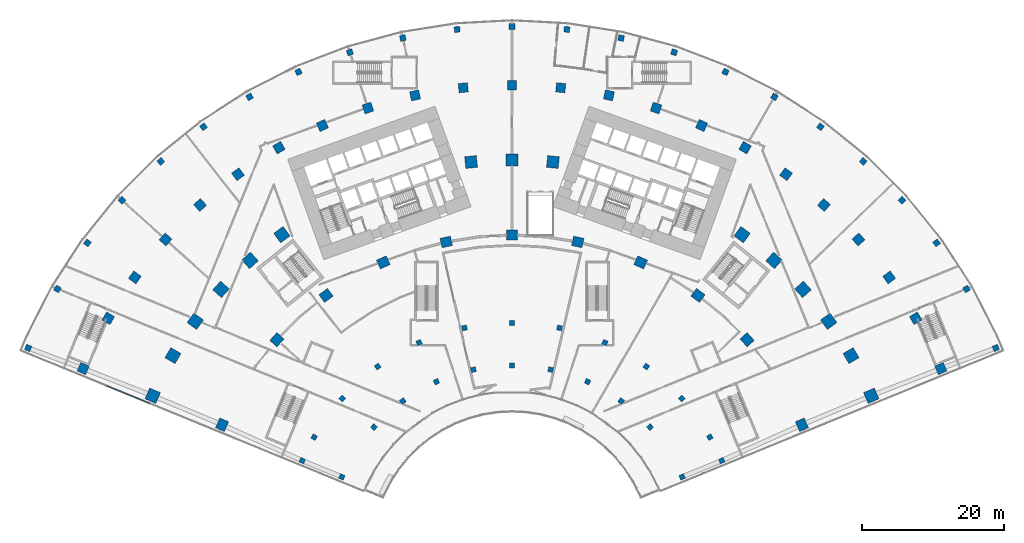
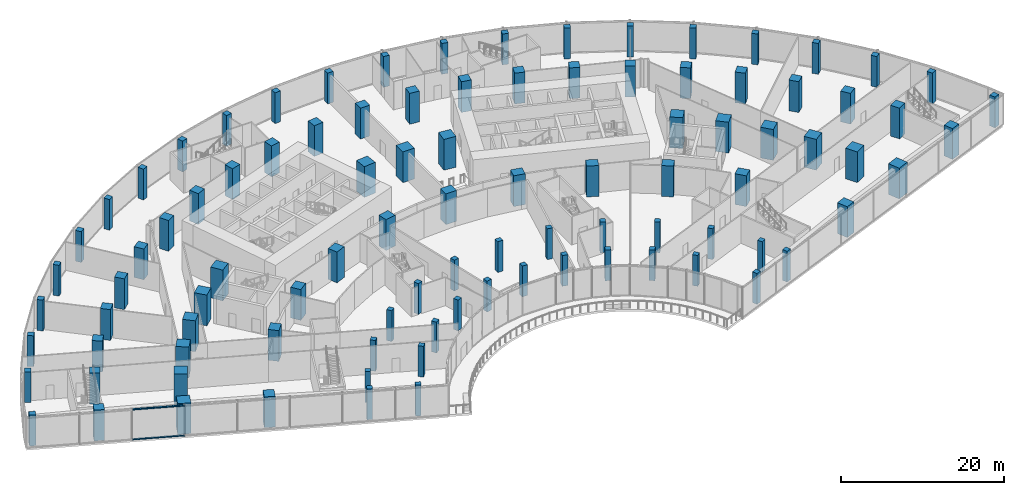
# One storey, part 1 of 40: 96 columns, 2 members, 1 element without a shape of its own.
"""IFC4 building model written with IfcOpenShell, lengths in metres."""

from ifc_helpers import new_model, si_unit, direction, frame, origin, origin_2d, place, context, subcontext, project, spatial, rectangle, extrude, material, layer, layer_set, material_profile, profile_set, type_object, element, aggregate, save


model = new_model("IFC4")

# Units and contexts
model_context = context("Model", 3, precision=1e-05, world=origin(), true_north=direction((0.0, 1.0)))
body_context = subcontext(model_context, "Body", "Model", "MODEL_VIEW")
ifc_project = project(units=[si_unit("LENGTHUNIT", "METRE"), si_unit("AREAUNIT", "SQUARE_METRE"), si_unit("VOLUMEUNIT", "CUBIC_METRE"), si_unit("PLANEANGLEUNIT", "RADIAN"), si_unit("MASSUNIT", "GRAM", prefix="KILO")], contexts=[model_context])

# Site, building, storey
site_placement = place(None, origin())
site = spatial("IfcSite", under=ifc_project, at=site_placement, CompositionType="ELEMENT")
building_placement = place(site_placement, origin())
building = spatial("IfcBuilding", under=site, at=building_placement, Name="Stone Belt Terrace Tower", CompositionType="ELEMENT")
storey_placement = place(building_placement, frame((0.0, 0.0, 11.60009765625)))
storey = spatial("IfcBuildingStorey", under=building, at=storey_placement, Name="L02", CompositionType="ELEMENT", Elevation=11.60009765625)

# Columns
ifc_material_1 = material(Name="Concrete B80", Category="concrete")
ifc_material_profile_1 = material_profile(ifc_material_1, rectangle(XDim=1.300048828125, YDim=1.300048828125, at=origin_2d()), Name="RC 1300x1300")
ifc_profile_set_1 = profile_set([ifc_material_profile_1], Name="Concrete B80")
column_type_1 = type_object("IfcColumnType", Name="Column RC 1300x1300 B80", PredefinedType="COLUMN", material=ifc_profile_set_1)
for number, where, z_axis, x_axis, name in (
    (1, (-60.24169921875, 25.68505859375, 0.0), (0.0, 0.0, 1.0), (0.392203865004, 0.919878322538, 0.0), "Column L02 RA"),
    (2, (-56.715087890625, 32.744384765625, 0.0), (0.0, 0.0, 1.0), (0.5, 0.866025403784, 0.0), "Column L02 R12"),
    (3, (-52.981689453125, 38.493408203125, 0.0), (0.0, 0.0, 1.0), (0.587785252292, 0.809016994375, 0.0), "Column L02 R13"),
    (4, (-48.667724609375, 43.820556640625, 0.0), (0.0, 0.0, 1.0), (0.669130606359, 0.743144825477, 0.0), "Column L02 R14"),
    (5, (-43.820556640625, 48.667724609375, 0.0), (0.0, 0.0, 1.0), (0.743144825477, 0.669130606359, 0.0), "Column L02 R15"),
    (6, (-38.493408203125, 52.981689453125, 0.0), (0.0, 0.0, 1.0), (0.809016994375, 0.587785252292, 0.0), "Column L02 R16"),
    (7, (-32.744384765625, 56.715087890625, 0.0), (0.0, 0.0, 1.0), (0.866025403784, 0.5, 0.0), "Column L02 R17"),
    (8, (-26.63671875, 59.8271484375, 0.0), (0.0, 0.0, 1.0), (0.913545457643, 0.406736643076, 0.0), "Column L02 R18"),
    (9, (-20.2373046875, 62.28369140625, 0.0), (0.0, 0.0, 1.0), (0.951056516295, 0.309016994375, 0.0), "Column L02 R19"),
    (10, (-13.615966796875, 64.057861328125, 0.0), (0.0, 0.0, 1.0), (0.978147600734, 0.207911690818, 0.0), "Column L02 R20"),
    (11, (-6.845458984375, 65.130126953125, 0.0), (0.0, 0.0, 1.0), (0.994521895368, 0.104528463268, 0.0), "Column L02 R21"),
    (12, (0.0, 65.489013671875, 0.0), (0.0, 0.0, 1.0), (1.0, 0.0, 0.0), "Column L02 R22"),
    (13, (6.845458984375, 65.130126953125, 0.0), (0.0, 0.0, 1.0), (0.994521895368, -0.104528463268, 0.0), "Column L02 R23"),
    (14, (13.615966796875, 64.057861328125, 0.0), (0.0, 0.0, 1.0), (0.978147600734, -0.207911690818, 0.0), "Column L02 R24"),
    (15, (20.2373046875, 62.28369140625, 0.0), (0.0, 0.0, 1.0), (0.951056516295, -0.309016994375, 0.0), "Column L02 R25"),
    (16, (26.63671875, 59.8271484375, 0.0), (0.0, 0.0, 1.0), (0.913545457643, -0.406736643076, 0.0), "Column L02 R26"),
    (17, (32.744384765625, 56.715087890625, 0.0), (0.0, 0.0, 1.0), (0.866025403784, -0.5, 0.0), "Column L02 R27"),
    (18, (38.493408203125, 52.981689453125, 0.0), (0.0, 0.0, 1.0), (0.809016994375, -0.587785252292, 0.0), "Column L02 R28"),
    (19, (43.820556640625, 48.667724609375, 0.0), (0.0, 0.0, 1.0), (0.743144825477, -0.669130606359, 0.0), "Column L02 R29"),
    (20, (48.667724609375, 43.820556640625, 0.0), (0.0, 0.0, 1.0), (0.669130606359, -0.743144825477, 0.0), "Column L02 R30"),
    (21, (52.981689453125, 38.493408203125, 0.0), (0.0, 0.0, 1.0), (0.587785252292, -0.809016994375, 0.0), "Column L02 R31"),
    (22, (56.715087890625, 32.744384765625, 0.0), (0.0, 0.0, 1.0), (0.5, -0.866025403784, 0.0), "Column L02 R32"),
    (23, (60.24169921875, 25.68505859375, 0.0), (0.0, 0.0, 1.0), (0.392203865004, -0.919878322538, 0.0), "Column L02 RB"),
):
    element("IfcColumn", number, at=place(storey_placement, frame(where, z_axis=z_axis, x_axis=x_axis)), inside=storey, type_object=column_type_1, Name=name, PredefinedType="COLUMN", context=body_context, shape_type="SweptSolid", body=[
        extrude(rectangle(XDim=1.300048828125, YDim=1.300048828125, at=origin_2d()), origin(), (0.0, 0.0, 1.0), 4.599853515625),
    ])
ifc_material_profile_2 = material_profile(ifc_material_1, rectangle(XDim=1.5, YDim=1.35009765625, at=origin_2d()), Name="RC 1500x1350")
ifc_profile_set_2 = profile_set([ifc_material_profile_2], Name="Concrete B80")
column_type_2 = type_object("IfcColumnType", Name="Column RC 1500x1350 B80", PredefinedType="COLUMN", material=ifc_profile_set_2)
for number, where, z_axis, x_axis, name in (
    (24, (-40.727294921875, 17.794677734375, 0.0), (0.0, 0.0, 1.0), (0.40037622141, 0.916350850564, 0.0), "Column L02 PA"),
    (25, (-33.029052734375, 29.739501953125, 0.0), (0.0, 0.0, 1.0), (0.669130606359, 0.743144825477, 0.0), "Column L02 P14"),
    (26, (-26.1240234375, 35.956787109375, 0.0), (0.0, 0.0, 1.0), (0.809016994375, 0.587785252292, 0.0), "Column L02 P16"),
    (27, (-18.077392578125, 40.6025390625, 0.0), (0.0, 0.0, 1.0), (0.913545457643, 0.406736643076, 0.0), "Column L02 P18"),
    (28, (-9.240478515625, 43.473876953125, 0.0), (0.0, 0.0, 1.0), (0.978147600734, 0.207911690818, 0.0), "Column L02 P20"),
    (29, (0.0, 44.445068359375, 0.0), (0.0, 0.0, 1.0), (1.0, 0.0, 0.0), "Column L02 P22"),
    (30, (9.240478515625, 43.473876953125, 0.0), (0.0, 0.0, 1.0), (0.978147600734, -0.207911690818, 0.0), "Column L02 P24"),
    (31, (18.077392578125, 40.6025390625, 0.0), (0.0, 0.0, 1.0), (0.913545457643, -0.406736643076, 0.0), "Column L02 P26"),
    (32, (26.1240234375, 35.956787109375, 0.0), (0.0, 0.0, 1.0), (0.809016994375, -0.587785252292, 0.0), "Column L02 P28"),
    (33, (33.029052734375, 29.739501953125, 0.0), (0.0, 0.0, 1.0), (0.669130606359, -0.743144825477, 0.0), "Column L02 P30"),
    (34, (40.727294921875, 17.794677734375, 0.0), (0.0, 0.0, 1.0), (0.40037622141, -0.916350850564, 0.0), "Column L02 PB"),
):
    element("IfcColumn", number, at=place(storey_placement, frame(where, z_axis=z_axis, x_axis=x_axis)), inside=storey, type_object=column_type_2, Name=name, PredefinedType="COLUMN", context=body_context, shape_type="SweptSolid", body=[
        extrude(rectangle(XDim=1.5, YDim=1.35009765625, at=origin_2d()), origin(), (0.0, 0.0, 1.0), 4.599853515625),
    ])
ifc_material_profile_3 = material_profile(ifc_material_1, rectangle(XDim=1.64990234375, YDim=1.64990234375, at=origin_2d()), Name="RC 1650x1650")
ifc_profile_set_3 = profile_set([ifc_material_profile_3], Name="Concrete B80")
column_type_3 = type_object("IfcColumnType", Name="Column RC 1650x1650 B80", PredefinedType="COLUMN", material=ifc_profile_set_3)
for number, where, z_axis, x_axis, name in (
    (35, (-50.466064453125, 21.867431640625, 0.0), (0.0, 0.0, 1.0), (0.397588335471, 0.917563902678, 0.0), "Column L02 QA"),
    (36, (-47.63134765625, 27.5, 0.0), (0.0, 0.0, 1.0), (0.5, 0.866025403784, 0.0), "Column L02 Q12"),
    (37, (-44.495849609375, 32.328125, 0.0), (0.0, 0.0, 1.0), (0.587785252292, 0.809016994375, 0.0), "Column L02 Q13"),
    (38, (-40.873046875, 36.80224609375, 0.0), (0.0, 0.0, 1.0), (0.669130606359, 0.743144825477, 0.0), "Column L02 Q14"),
    (39, (-36.80224609375, 40.873046875, 0.0), (0.0, 0.0, 1.0), (0.743144825477, 0.669130606359, 0.0), "Column L02 Q15"),
    (40, (-32.328125, 44.495849609375, 0.0), (0.0, 0.0, 1.0), (0.809016994375, 0.587785252292, 0.0), "Column L02 Q16"),
    (41, (-5.7490234375, 54.69873046875, 0.0), (0.0, 0.0, 1.0), (0.994521895368, 0.104528463268, 0.0), "Column L02 Q21"),
    (42, (0.0, 55.0, 0.0), (0.0, 0.0, 1.0), (1.0, 0.0, 0.0), "Column L02 Q22"),
    (43, (5.7490234375, 54.69873046875, 0.0), (0.0, 0.0, 1.0), (0.994521895368, -0.104528463268, 0.0), "Column L02 Q23"),
    (44, (32.328125, 44.495849609375, 0.0), (0.0, 0.0, 1.0), (0.809016994375, -0.587785252292, 0.0), "Column L02 Q28"),
    (45, (36.80224609375, 40.873046875, 0.0), (0.0, 0.0, 1.0), (0.743144825477, -0.669130606359, 0.0), "Column L02 Q29"),
    (46, (40.873046875, 36.80224609375, 0.0), (0.0, 0.0, 1.0), (0.669130606359, -0.743144825477, 0.0), "Column L02 Q30"),
    (47, (44.495849609375, 32.328125, 0.0), (0.0, 0.0, 1.0), (0.587785252292, -0.809016994375, 0.0), "Column L02 Q31"),
    (48, (47.63134765625, 27.5, 0.0), (0.0, 0.0, 1.0), (0.5, -0.866025403784, 0.0), "Column L02 Q32"),
    (49, (50.466064453125, 21.867431640625, 0.0), (0.0, 0.0, 1.0), (0.397588335471, -0.917563902678, 0.0), "Column L02 QB"),
):
    element("IfcColumn", number, at=place(storey_placement, frame(where, z_axis=z_axis, x_axis=x_axis)), inside=storey, type_object=column_type_3, Name=name, PredefinedType="COLUMN", context=body_context, shape_type="SweptSolid", body=[
        extrude(rectangle(XDim=1.64990234375, YDim=1.64990234375, at=origin_2d()), origin(), (0.0, 0.0, 1.0), 4.599853515625),
    ])
ifc_material_2 = material(Name="Concrete B60", Category="concrete")
ifc_material_profile_4 = material_profile(ifc_material_2, rectangle(XDim=0.699951171875, YDim=0.699951171875, at=origin_2d()), Name="RC 700x700")
ifc_profile_set_4 = profile_set([ifc_material_profile_4], Name="Concrete B60")
column_type_4 = type_object("IfcColumnType", Name="Column RC 700x700 B60", PredefinedType="COLUMN", material=ifc_profile_set_4)
for number, where, z_axis, x_axis, name in (
    (50, (-23.908203125, 10.468994140625, 0.0), (0.0, 0.0, 1.0), (0.401114983453, 0.91602771249, 0.0), "Column L02 NA"),
    (51, (-19.39599609375, 17.46435546875, 0.0), (0.0, 0.0, 1.0), (0.669130606359, 0.743144825477, 0.0), "Column L02 N14"),
    (52, (-15.34130859375, 21.115234375, 0.0), (0.0, 0.0, 1.0), (0.809016994375, 0.587785252292, 0.0), "Column L02 N16"),
    (53, (-10.61572265625, 23.843505859375, 0.0), (0.0, 0.0, 1.0), (0.913545457643, 0.406736643076, 0.0), "Column L02 N18"),
    (54, (-5.426513671875, 25.52978515625, 0.0), (0.0, 0.0, 1.0), (0.978147600734, 0.207911690818, 0.0), "Column L02 N20"),
    (55, (0.0, 26.10009765625, 0.0), (0.0, 0.0, 1.0), (1.0, 0.0, 0.0), "Column L02 N22"),
    (56, (5.426513671875, 25.52978515625, 0.0), (0.0, 0.0, 1.0), (0.978147600734, -0.207911690818, 0.0), "Column L02 N24"),
    (57, (10.61572265625, 23.843505859375, 0.0), (0.0, 0.0, 1.0), (0.913545457643, -0.406736643076, 0.0), "Column L02 N26"),
    (58, (15.34130859375, 21.115234375, 0.0), (0.0, 0.0, 1.0), (0.809016994375, -0.587785252292, 0.0), "Column L02 N28"),
    (59, (19.39599609375, 17.46435546875, 0.0), (0.0, 0.0, 1.0), (0.669130606359, -0.743144825477, 0.0), "Column L02 N30"),
    (60, (23.908203125, 10.468994140625, 0.0), (0.0, 0.0, 1.0), (0.401114983453, -0.91602771249, 0.0), "Column L02 NB"),
    (61, (-29.46142578125, 12.7451171875, 0.0), (0.0, 0.0, 1.0), (0.39704377212, 0.917799674777, 0.0), "Column L02 OA"),
    (62, (-27.79931640625, 16.050048828125, 0.0), (0.0, 0.0, 1.0), (0.5, 0.866025403784, 0.0), "Column L02 O12"),
    (63, (-23.85498046875, 21.47900390625, 0.0), (0.0, 0.0, 1.0), (0.669130606359, 0.743144825477, 0.0), "Column L02 O14"),
    (64, (-18.867919921875, 25.969482421875, 0.0), (0.0, 0.0, 1.0), (0.809016994375, 0.587785252292, 0.0), "Column L02 O16"),
    (65, (-13.05615234375, 29.32470703125, 0.0), (0.0, 0.0, 1.0), (0.913545457643, 0.406736643076, 0.0), "Column L02 O18"),
    (66, (-6.674072265625, 31.3984375, 0.0), (0.0, 0.0, 1.0), (0.978147600734, 0.207911690818, 0.0), "Column L02 O20"),
    (67, (0.0, 32.10009765625, 0.0), (0.0, 0.0, 1.0), (1.0, 0.0, 0.0), "Column L02 O22"),
    (68, (6.674072265625, 31.3984375, 0.0), (0.0, 0.0, 1.0), (0.978147600734, -0.207911690818, 0.0), "Column L02 O24"),
    (69, (13.05615234375, 29.32470703125, 0.0), (0.0, 0.0, 1.0), (0.913545457643, -0.406736643076, 0.0), "Column L02 O26"),
    (70, (18.867919921875, 25.969482421875, 0.0), (0.0, 0.0, 1.0), (0.809016994375, -0.587785252292, 0.0), "Column L02 O28"),
    (71, (23.85498046875, 21.47900390625, 0.0), (0.0, 0.0, 1.0), (0.669130606359, -0.743144825477, 0.0), "Column L02 O30"),
    (72, (27.79931640625, 16.050048828125, 0.0), (0.0, 0.0, 1.0), (0.5, -0.866025403784, 0.0), "Column L02 O32"),
    (73, (29.46142578125, 12.7451171875, 0.0), (0.0, 0.0, 1.0), (0.39704377212, -0.917799674777, 0.0), "Column L02 OB"),
):
    element("IfcColumn", number, at=place(storey_placement, frame(where, z_axis=z_axis, x_axis=x_axis)), inside=storey, type_object=column_type_4, Name=name, PredefinedType="COLUMN", context=body_context, shape_type="SweptSolid", body=[
        extrude(rectangle(XDim=0.699951171875, YDim=0.699951171875, at=origin_2d()), origin(), (0.0, 0.0, 1.0), 4.599853515625),
    ])
ifc_material_profile_5 = material_profile(ifc_material_2, rectangle(XDim=0.800048828125, YDim=0.800048828125, at=origin_2d()), Name="RC 800x800")
ifc_profile_set_5 = profile_set([ifc_material_profile_5], Name="Concrete B60")
column_type_5 = type_object("IfcColumnType", Name="Column RC 800x800 B60", PredefinedType="COLUMN", material=ifc_profile_set_5)
for number, where, z_axis, x_axis, name in (
    (74, (-67.96337890625, 28.57958984375, 0.0), (0.0, 0.0, 1.0), (0.387636254736, 0.921812418019, 0.0), "Column L02 SA"),
    (75, (-63.85009765625, 36.864013671875, 0.0), (0.0, 0.0, 1.0), (0.5, 0.866025403784, 0.0), "Column L02 S12"),
    (76, (-59.647216796875, 43.336181640625, 0.0), (0.0, 0.0, 1.0), (0.587785252292, 0.809016994375, 0.0), "Column L02 S13"),
    (77, (-54.79052734375, 49.33349609375, 0.0), (0.0, 0.0, 1.0), (0.669130606359, 0.743144825477, 0.0), "Column L02 S14"),
    (78, (-49.33349609375, 54.79052734375, 0.0), (0.0, 0.0, 1.0), (0.743144825477, 0.669130606359, 0.0), "Column L02 S15"),
    (79, (-43.336181640625, 59.647216796875, 0.0), (0.0, 0.0, 1.0), (0.809016994375, 0.587785252292, 0.0), "Column L02 S16"),
    (80, (-36.864013671875, 63.85009765625, 0.0), (0.0, 0.0, 1.0), (0.866025403784, 0.5, 0.0), "Column L02 S17"),
    (81, (-29.98779296875, 67.353759765625, 0.0), (0.0, 0.0, 1.0), (0.913545457643, 0.406736643076, 0.0), "Column L02 S18"),
    (82, (-22.783203125, 70.119384765625, 0.0), (0.0, 0.0, 1.0), (0.951056516295, 0.309016994375, 0.0), "Column L02 S19"),
    (83, (-15.328857421875, 72.11669921875, 0.0), (0.0, 0.0, 1.0), (0.978147600734, 0.207911690818, 0.0), "Column L02 S20"),
    (84, (-7.706787109375, 73.323974609375, 0.0), (0.0, 0.0, 1.0), (0.994521895368, 0.104528463268, 0.0), "Column L02 S21"),
    (85, (0.0, 73.727783203125, 0.0), (0.0, 0.0, 1.0), (1.0, 0.0, 0.0), "Column L02 S22"),
    (86, (7.706787109375, 73.323974609375, 0.0), (0.0, 0.0, 1.0), (0.994521895368, -0.104528463268, 0.0), "Column L02 S23"),
    (87, (15.328857421875, 72.11669921875, 0.0), (0.0, 0.0, 1.0), (0.978147600734, -0.207911690818, 0.0), "Column L02 S24"),
    (88, (22.783203125, 70.119384765625, 0.0), (0.0, 0.0, 1.0), (0.951056516295, -0.309016994375, 0.0), "Column L02 S25"),
    (89, (29.98779296875, 67.353759765625, 0.0), (0.0, 0.0, 1.0), (0.913545457643, -0.406736643076, 0.0), "Column L02 S26"),
    (90, (36.864013671875, 63.85009765625, 0.0), (0.0, 0.0, 1.0), (0.866025403784, -0.5, 0.0), "Column L02 S27"),
    (91, (43.336181640625, 59.647216796875, 0.0), (0.0, 0.0, 1.0), (0.809016994375, -0.587785252292, 0.0), "Column L02 S28"),
    (92, (49.33349609375, 54.79052734375, 0.0), (0.0, 0.0, 1.0), (0.743144825477, -0.669130606359, 0.0), "Column L02 S29"),
    (93, (54.79052734375, 49.33349609375, 0.0), (0.0, 0.0, 1.0), (0.669130606359, -0.743144825477, 0.0), "Column L02 S30"),
    (94, (59.647216796875, 43.336181640625, 0.0), (0.0, 0.0, 1.0), (0.587785252292, -0.809016994375, 0.0), "Column L02 S31"),
    (95, (63.85009765625, 36.864013671875, 0.0), (0.0, 0.0, 1.0), (0.5, -0.866025403784, 0.0), "Column L02 S32"),
    (96, (67.96337890625, 28.57958984375, 0.0), (0.0, 0.0, 1.0), (0.387636254736, -0.921812418019, 0.0), "Column L02 SB"),
):
    element("IfcColumn", number, at=place(storey_placement, frame(where, z_axis=z_axis, x_axis=x_axis)), inside=storey, type_object=column_type_5, Name=name, PredefinedType="COLUMN", context=body_context, shape_type="SweptSolid", body=[
        extrude(rectangle(XDim=0.800048828125, YDim=0.800048828125, at=origin_2d()), origin(), (0.0, 0.0, 1.0), 4.599853515625),
    ])

# Curtain wall, members
ifc_material_3 = material(Name="Aluminium 6063-T6 anodised frame", Category="aluminium")
ifc_layer = layer(ifc_material_3, 0.14990234375)
ifc_layer_set = layer_set([ifc_layer], Name="CW-D podium shopfront")
curtain_wall_type = type_object("IfcCurtainWallType", Name="CW-D podium shopfront", PredefinedType="NOTDEFINED", material=ifc_layer_set)
curtain_wall_placement = place(storey_placement, origin())
curtain_wall = element("IfcCurtainWall", 97, at=curtain_wall_placement, inside=storey, type_object=curtain_wall_type, Name="CW-D end face L02", PredefinedType="NOTDEFINED")
ifc_material_profile_6 = material_profile(ifc_material_3, rectangle(XDim=0.14990234375, YDim=0.139892578125, at=origin_2d()), Name="Aluminium 6063-T6 150x140")
ifc_profile_set_6 = profile_set([ifc_material_profile_6], Name="Aluminium 6063-T6 anodised frame")
member_type = type_object("IfcMemberType", Name="CW-D transom 140 x 150", PredefinedType="USERDEFINED", material=ifc_profile_set_6)
member_1_placement = place(storey_placement, frame((-56.906494140625, 23.24267578125, 0.06982421875), z_axis=(0.925295543226, -0.3792468295, 0.0), x_axis=(0.3792468295, 0.925295543226, 0.0)))
member_1 = element("IfcMember", 98, at=member_1_placement, type_object=member_type, Name="CW-D transom 3.1", ObjectType="TRANSOM", PredefinedType="USERDEFINED", context=body_context, shape_type="SweptSolid", body=[
    extrude(rectangle(XDim=0.14990234375, YDim=0.139892578125, at=origin_2d()), origin(), (0.0, 0.0, 1.0), 6.440185546875),
])
member_2_placement = place(storey_placement, frame((-56.906494140625, 23.24267578125, 4.52978515625), z_axis=(0.925295543226, -0.3792468295, 0.0), x_axis=(0.3792468295, 0.925295543226, 0.0)))
member_2 = element("IfcMember", 99, at=member_2_placement, type_object=member_type, Name="CW-D transom 3.2", ObjectType="TRANSOM", PredefinedType="USERDEFINED", context=body_context, shape_type="SweptSolid", body=[
    extrude(rectangle(XDim=0.14990234375, YDim=0.139892578125, at=origin_2d()), origin(), (0.0, 0.0, 1.0), 6.440185546875),
])
aggregate(curtain_wall, [member_1, member_2])

save(model, "model.ifc")
